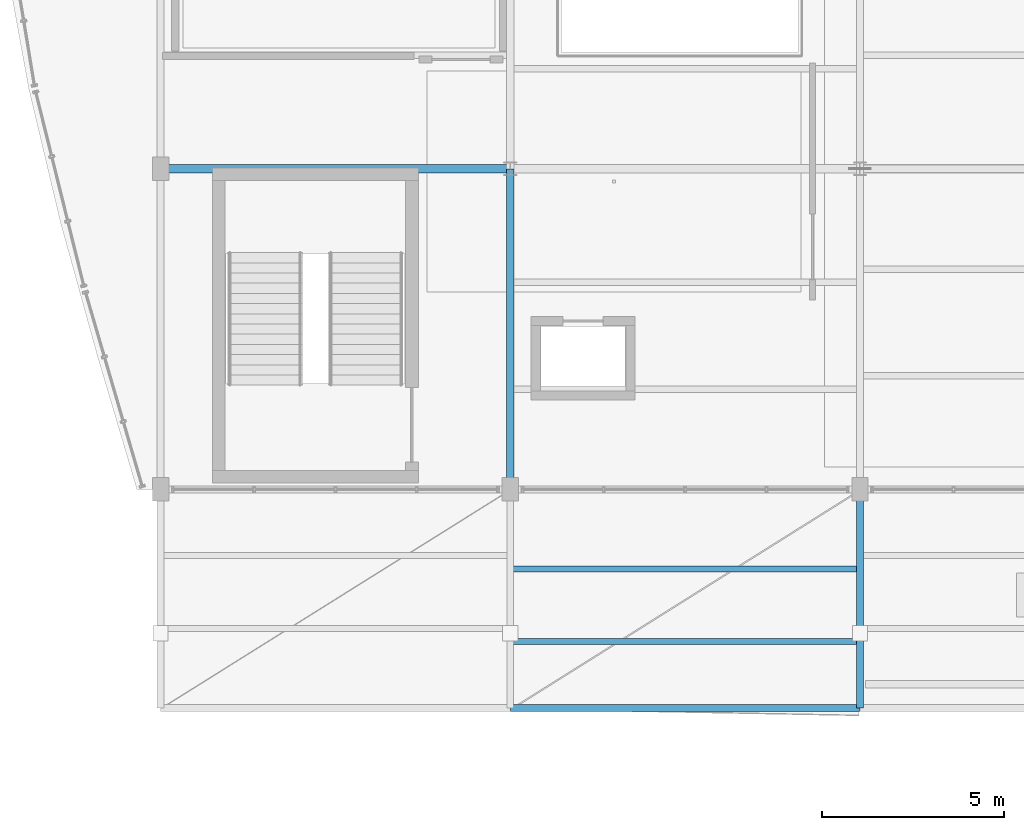
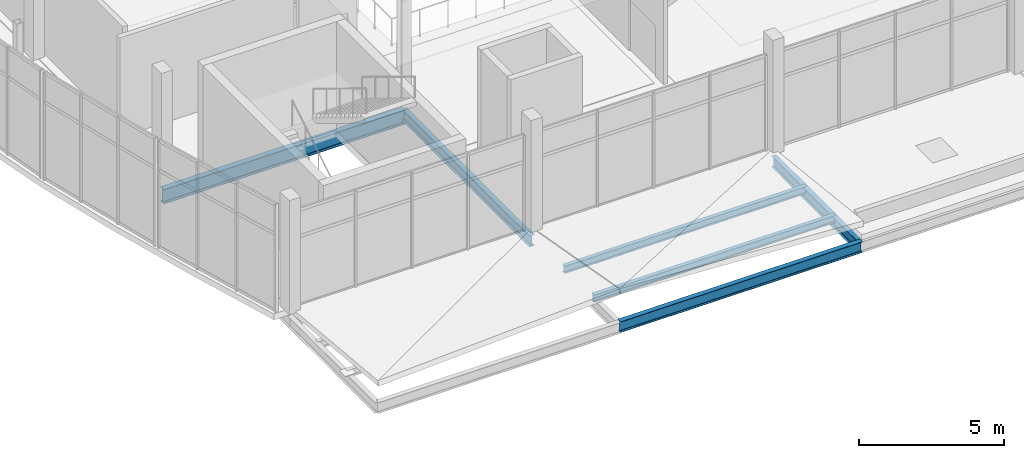
# One storey, part 16 of 157: 6 beams.
"""IFC4 building model written with IfcOpenShell, lengths in metres."""

from ifc_helpers import new_model, si_unit, direction, frame, origin, origin_2d, place, context, subcontext, project, spatial, i_section, extrude, material, material_profile, profile_set, type_object, element, save


model = new_model("IFC4")

# Units and contexts
model_context = context("Model", 3, precision=1e-05, world=origin(), true_north=direction((0.0, 1.0)))
body_context = subcontext(model_context, "Body", "Model", "MODEL_VIEW")
ifc_project = project(units=[si_unit("LENGTHUNIT", "METRE"), si_unit("AREAUNIT", "SQUARE_METRE"), si_unit("VOLUMEUNIT", "CUBIC_METRE"), si_unit("PLANEANGLEUNIT", "RADIAN"), si_unit("MASSUNIT", "GRAM", prefix="KILO")], contexts=[model_context])

# Site, building, storey
site_placement = place(None, origin())
site = spatial("IfcSite", under=ifc_project, at=site_placement, CompositionType="ELEMENT")
building_placement = place(site_placement, origin())
building = spatial("IfcBuilding", under=site, at=building_placement, Name="Chalmorin Arch Market", CompositionType="ELEMENT")
storey_placement = place(building_placement, frame((0.0, 0.0, 4.800048828125)))
storey = spatial("IfcBuildingStorey", under=building, at=storey_placement, Name="L01", CompositionType="ELEMENT", Elevation=4.800048828125)

# Beams
ifc_material = material(Name="Steel A992 Grade 50", Category="steel")
ifc_material_profile_1 = material_profile(ifc_material, i_section(OverallWidth=0.19091796875, OverallDepth=0.45703125, WebThickness=0.009033203125, FlangeThickness=0.014404296875, FilletRadius=0.02001953125, at=origin_2d()), Name="W18X50")
ifc_profile_set_1 = profile_set([ifc_material_profile_1], Name="Steel A992 Grade 50")
beam_type_1 = type_object("IfcBeamType", Name="FloorSteelBeam-W18X50", PredefinedType="BEAM", material=ifc_profile_set_1)
beam_1_placement = place(storey_placement, frame((19.199951171875, 0.0, -0.510498046875), z_axis=(0.0, 1.0, 0.0), x_axis=(-1.0, 0.0, 0.0)))
element("IfcBeam", 1, at=beam_1_placement, inside=storey, type_object=beam_type_1, Name="BM-W18B-1028", PredefinedType="BEAM", context=body_context, shape_type="SweptSolid", body=[
    extrude(i_section(OverallWidth=0.19091796875, OverallDepth=0.45703125, WebThickness=0.009033203125, FlangeThickness=0.014404296875, FilletRadius=0.02001953125, at=origin_2d()), origin(), (0.0, 0.0, 1.0), 6.0),
])
ifc_material_profile_2 = material_profile(ifc_material, i_section(OverallWidth=0.193115234375, OverallDepth=0.466064453125, WebThickness=0.011474609375, FlangeThickness=0.01904296875, FilletRadius=0.02001953125, at=origin_2d()), Name="W18X65")
ifc_profile_set_2 = profile_set([ifc_material_profile_2], Name="Steel A992 Grade 50")
beam_type_2 = type_object("IfcBeamType", Name="FloorSteelBeam-W18X65", PredefinedType="BEAM", material=ifc_profile_set_2)
beam_2_placement = place(storey_placement, frame((9.60009765625, 6.0, -0.51513671875), z_axis=(0.0, 1.0, 0.0), x_axis=(-1.0, 0.0, 0.0)))
element("IfcBeam", 2, at=beam_2_placement, inside=storey, type_object=beam_type_2, Name="BM-W18A-0801", PredefinedType="BEAM", context=body_context, shape_type="SweptSolid", body=[
    extrude(i_section(OverallWidth=0.193115234375, OverallDepth=0.466064453125, WebThickness=0.011474609375, FlangeThickness=0.01904296875, FilletRadius=0.02001953125, at=origin_2d()), origin(), (0.0, 0.0, 1.0), 8.800048828125),
])
ifc_material_profile_3 = material_profile(ifc_material, i_section(OverallWidth=0.19091796875, OverallDepth=0.45703125, WebThickness=0.009033203125, FlangeThickness=0.014404296875, FilletRadius=0.02001953125, at=origin_2d()), Name="W18X50")
ifc_profile_set_3 = profile_set([ifc_material_profile_3], Name="Steel A992 Grade 50")
beam_type_3 = type_object("IfcBeamType", Name="PerimeterSpandrelBeam-W18X50", PredefinedType="SPANDREL", material=ifc_profile_set_3)
beam_3_placement = place(storey_placement, frame((9.60009765625, 0.0, -0.450439453125), z_axis=(1.0, 0.0, 0.0), x_axis=(0.0, 1.0, 0.0)))
element("IfcBeam", 3, at=beam_3_placement, inside=storey, type_object=beam_type_3, Name="SP-W18-1027", PredefinedType="SPANDREL", context=body_context, shape_type="SweptSolid", body=[
    extrude(i_section(OverallWidth=0.19091796875, OverallDepth=0.45703125, WebThickness=0.009033203125, FlangeThickness=0.014404296875, FilletRadius=0.02001953125, at=origin_2d()), origin(), (0.0, 0.0, 1.0), 9.599853515625),
])
ifc_material_profile_4 = material_profile(ifc_material, i_section(OverallWidth=0.22802734375, OverallDepth=0.60791015625, WebThickness=0.01123046875, FlangeThickness=0.017333984375, FilletRadius=0.02392578125, at=origin_2d()), Name="W24X76")
ifc_profile_set_4 = profile_set([ifc_material_profile_4], Name="Steel A992 Grade 50")
beam_type_4 = type_object("IfcBeamType", Name="PrimarySteelGirder-W24X76", PredefinedType="BEAM", material=ifc_profile_set_4)
beam_4_placement = place(storey_placement, frame((0.0, 14.800048828125, -0.5859375), z_axis=(1.0, 0.0, 0.0), x_axis=(0.0, 1.0, 0.0)))
element("IfcBeam", 4, at=beam_4_placement, inside=storey, type_object=beam_type_4, Name="BG-W24B-0799", PredefinedType="BEAM", context=body_context, shape_type="SweptSolid", body=[
    extrude(i_section(OverallWidth=0.22802734375, OverallDepth=0.60791015625, WebThickness=0.01123046875, FlangeThickness=0.017333984375, FilletRadius=0.02392578125, at=origin_2d()), origin(), (0.0, 0.0, 1.0), 9.60009765625),
])
ifc_material_profile_5 = material_profile(ifc_material, i_section(OverallWidth=0.1650390625, OverallDepth=0.31005859375, WebThickness=0.005859375, FlangeThickness=0.009765625, FilletRadius=0.014892578125, at=origin_2d()), Name="W12X26")
ifc_profile_set_5 = profile_set([ifc_material_profile_5], Name="Steel A992 Grade 50")
beam_type_5 = type_object("IfcBeamType", Name="SecondaryRoofJoist-W12X26", PredefinedType="JOIST", material=ifc_profile_set_5)
for number, where, z_axis, x_axis, name in (
    (5, (9.60009765625, 1.820068359375, -0.376953125), (1.0, 0.0, 0.0), (0.0, 1.0, 0.0), "BJ-W12-1054"),
    (6, (9.60009765625, 3.820068359375, -0.376953125), (1.0, 0.0, 0.0), (0.0, 1.0, 0.0), "BJ-W12-1055"),
):
    element("IfcBeam", number, at=place(storey_placement, frame(where, z_axis=z_axis, x_axis=x_axis)), inside=storey, type_object=beam_type_5, Name=name, PredefinedType="JOIST", context=body_context, shape_type="SweptSolid", body=[
        extrude(i_section(OverallWidth=0.1650390625, OverallDepth=0.31005859375, WebThickness=0.005859375, FlangeThickness=0.009765625, FilletRadius=0.014892578125, at=origin_2d()), origin(), (0.0, 0.0, 1.0), 9.599853515625),
    ])

save(model, "model.ifc")
